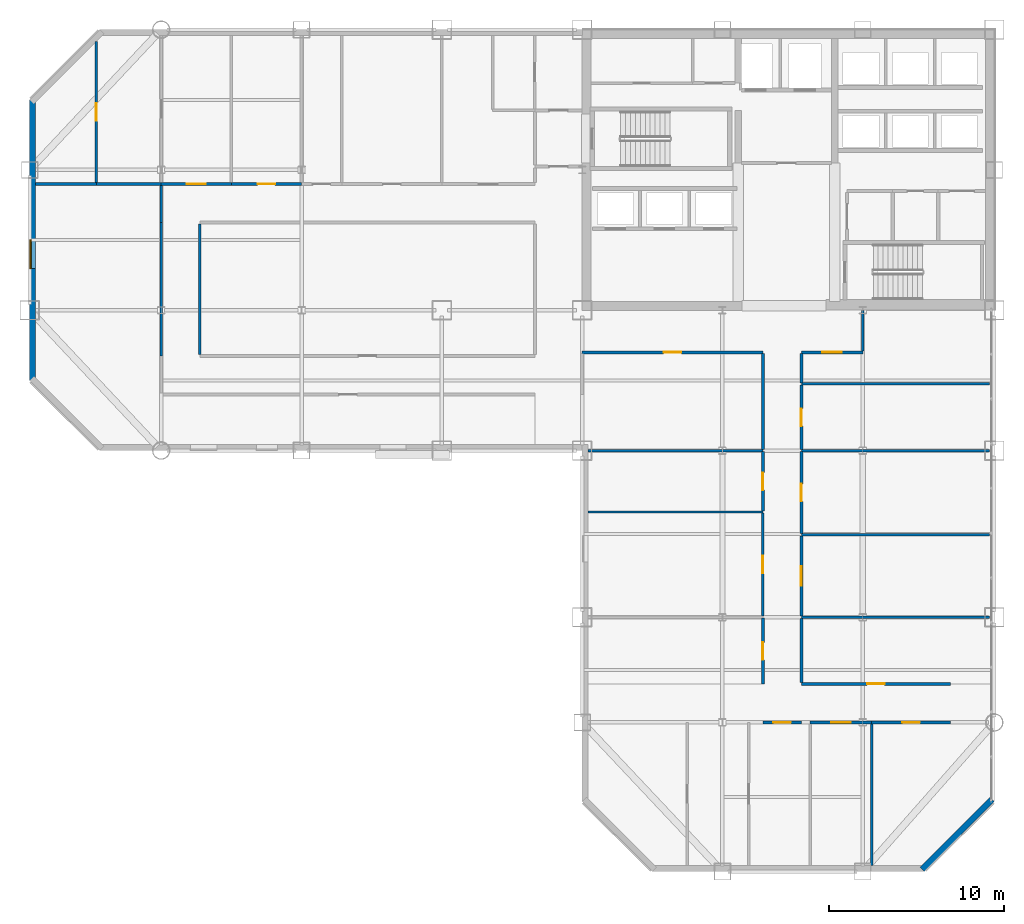
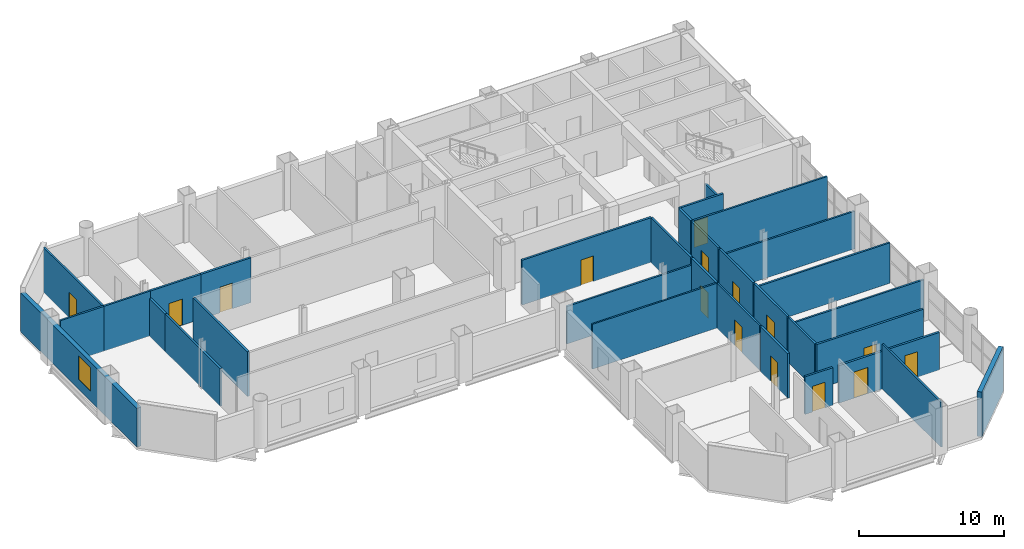
# One storey, part 12 of 16: 33 walls, 15 doors, 1 window, 16 openings.
"""IFC4 building model written with IfcOpenShell, lengths in metres."""

from ifc_helpers import new_model, si_unit, direction, frame, frame_2d, origin, place, context, subcontext, project, spatial, rectangle, extrude, material, layer, layer_set, type_object, element, fill, save


model = new_model("IFC4")

# Units and contexts
model_context = context("Model", 3, precision=1e-05, world=origin(), true_north=direction((0.0, 1.0)))
body_context = subcontext(model_context, "Body", "Model", "MODEL_VIEW")
ifc_project = project(units=[si_unit("LENGTHUNIT", "METRE"), si_unit("AREAUNIT", "SQUARE_METRE"), si_unit("VOLUMEUNIT", "CUBIC_METRE"), si_unit("PLANEANGLEUNIT", "RADIAN"), si_unit("MASSUNIT", "GRAM", prefix="KILO")], contexts=[model_context])

# Site, building, storey
site_placement = place(None, origin())
site = spatial("IfcSite", under=ifc_project, at=site_placement, CompositionType="ELEMENT")
building_placement = place(site_placement, origin())
building = spatial("IfcBuilding", under=site, at=building_placement, Name="Qianrong Seaharbour Tower", CompositionType="ELEMENT")
storey_placement = place(building_placement, frame((0.0, 0.0, 127.0)))
storey = spatial("IfcBuildingStorey", under=building, at=storey_placement, Name="L30", CompositionType="ELEMENT", Elevation=127.0)

# Wall
ifc_material_1 = material(Name="Fire-rated acoustic gypsum board partition")
ifc_layer_1 = layer(ifc_material_1, 0.1650390625)
ifc_layer_set_1 = layer_set([ifc_layer_1], Name="Fire-rated acoustic gypsum board partition")
wall_type_1 = type_object("IfcWallType", Name="WALL-CORR-PART-165", PredefinedType="PARTITIONING", material=ifc_layer_set_1)
wall_1_placement = place(storey_placement, frame((16.5, 41.0, 0.0), z_axis=(0.0, 0.0, 1.0), x_axis=(0.0, 1.0, 0.0)))
element("IfcWall", 1, at=wall_1_placement, inside=storey, type_object=wall_type_1, Name="L30 Interior Partition Wall 020", PredefinedType="PARTITIONING", context=body_context, shape_type="SweptSolid", body=[
    extrude(rectangle(XDim=2.12548828125, YDim=0.1650390625, at=frame_2d((1.062744140625, 0.0))), origin(), (0.0, 0.0, 1.0), 3.156982421875),
])

# Wall, opening, door
wall_2_placement = place(storey_placement, frame((16.5, 43.199951171875, 0.0), z_axis=(0.0, 0.0, 1.0), x_axis=(1.0, 0.0, 0.0)))
wall_2 = element("IfcWall", 2, at=wall_2_placement, inside=storey, type_object=wall_type_1, Name="L30 Interior Partition Wall 022", PredefinedType="PARTITIONING", context=body_context, shape_type="SweptSolid", body=[
    extrude(rectangle(XDim=4.0, YDim=0.1650390625, at=frame_2d((2.0, 0.0))), origin(), (0.0, 0.0, 1.0), 3.764892578125),
])
opening_1_placement = place(wall_2_placement, frame((1.449951171875, 0.0, 0.0)))
opening_1 = element("IfcOpeningElement", 3, at=opening_1_placement, cuts=wall_2, Name="Opening DM-01", PredefinedType="OPENING", context=body_context, shape_type="SweptSolid", body=[
    extrude(rectangle(XDim=1.10009765625, YDim=2.199951171875, at=frame_2d((0.550048828125, 1.10009765625))), frame((0.0, 0.092529296875, 0.0), z_axis=(0.0, -1.0, 0.0), x_axis=(1.0, 0.0, 0.0)), (0.0, 0.0, 1.0), 0.18505859375),
])
ifc_material_2 = material(Name="Acoustic timber and galvanized steel fire door assembly", Category="steel")
door_type_1 = type_object("IfcDoorType", Name="DOOR-MEET-1100x2200", OperationType="NOTDEFINED", PredefinedType="DOOR", material=ifc_material_2)
door_1_placement = place(opening_1_placement, origin())
door_1 = element("IfcDoor", 4, at=door_1_placement, inside=storey, type_object=door_type_1, Name="L30 Meeting Room 3 Door", OperationType="SINGLE_SWING_LEFT", OverallHeight=2.199951171875, OverallWidth=1.10009765625, PredefinedType="DOOR", context=body_context, shape_type="SweptSolid", body=[
    extrude(rectangle(XDim=1.10009765625, YDim=2.199951171875, at=frame_2d((0.550048828125, 1.10009765625))), frame((0.0, 0.02490234375, 0.0), z_axis=(0.0, -1.0, 0.0), x_axis=(1.0, 0.0, 0.0)), (0.0, 0.0, 1.0), 0.050048828125),
])
fill(opening_1, door_1)

wall_3_placement = place(storey_placement, frame((20.5, 43.199951171875, 0.0), z_axis=(0.0, 0.0, 1.0), x_axis=(1.0, 0.0, 0.0)))
wall_3 = element("IfcWall", 5, at=wall_3_placement, inside=storey, type_object=wall_type_1, Name="L30 Interior Partition Wall 023", PredefinedType="PARTITIONING", context=body_context, shape_type="SweptSolid", body=[
    extrude(rectangle(XDim=4.0, YDim=0.1650390625, at=frame_2d((2.0, 0.0))), origin(), (0.0, 0.0, 1.0), 3.764892578125),
])
opening_2_placement = place(wall_3_placement, frame((1.5, 0.0, 0.0)))
opening_2 = element("IfcOpeningElement", 6, at=opening_2_placement, cuts=wall_3, Name="Opening DO-01", PredefinedType="OPENING", context=body_context, shape_type="SweptSolid", body=[
    extrude(rectangle(XDim=1.0, YDim=2.14990234375, at=frame_2d((0.5, 1.074951171875))), frame((0.0, 0.092529296875, 0.0), z_axis=(0.0, -1.0, 0.0), x_axis=(1.0, 0.0, 0.0)), (0.0, 0.0, 1.0), 0.18505859375),
])
door_type_2 = type_object("IfcDoorType", Name="DOOR-OFFICE-1000x2150", OperationType="NOTDEFINED", PredefinedType="DOOR", material=ifc_material_2)
door_2_placement = place(opening_2_placement, origin())
door_2 = element("IfcDoor", 7, at=door_2_placement, inside=storey, type_object=door_type_2, Name="L30 Executive Office 4 Door", OperationType="SINGLE_SWING_RIGHT", OverallHeight=2.14990234375, OverallWidth=1.0, PredefinedType="DOOR", context=body_context, shape_type="SweptSolid", body=[
    extrude(rectangle(XDim=1.0, YDim=2.14990234375, at=frame_2d((0.5, 1.074951171875))), frame((0.0, 0.02490234375, 0.0), z_axis=(0.0, -1.0, 0.0), x_axis=(1.0, 0.0, 0.0)), (0.0, 0.0, 1.0), 0.050048828125),
])
fill(opening_2, door_2)

# Walls
wall_4_placement = place(storey_placement, frame((16.5, 33.39990234375, 0.0), z_axis=(0.0, 0.0, 1.0), x_axis=(0.0, 1.0, 0.0)))
element("IfcWall", 8, at=wall_4_placement, inside=storey, type_object=wall_type_1, Name="L30 Interior Partition Wall 027", PredefinedType="PARTITIONING", context=body_context, shape_type="SweptSolid", body=[
    extrude(rectangle(XDim=7.60009765625, YDim=0.1650390625, at=frame_2d((3.800048828125, 0.0))), origin(), (0.0, 0.0, 1.0), 3.156982421875),
])
wall_5_placement = place(storey_placement, frame((18.699951171875, 40.925537109375, 0.0), z_axis=(0.0, 0.0, 1.0), x_axis=(0.0, -1.0, 0.0)))
element("IfcWall", 9, at=wall_5_placement, inside=storey, type_object=wall_type_1, Name="L30 Interior Partition Wall 028", PredefinedType="PARTITIONING", context=body_context, shape_type="SweptSolid", body=[
    extrude(rectangle(XDim=7.450927734375, YDim=0.1650390625, at=frame_2d((3.7255859375, 0.0))), origin(), (0.0, 0.0, 1.0), 3.764892578125),
])
wall_6_placement = place(storey_placement, frame((56.5, 36.0, 0.0), z_axis=(0.0, 0.0, 1.0), x_axis=(0.0, -1.0, 0.0)))
element("IfcWall", 10, at=wall_6_placement, inside=storey, type_object=wall_type_1, Name="L30 Interior Partition Wall 032", PredefinedType="PARTITIONING", context=body_context, shape_type="SweptSolid", body=[
    extrude(rectangle(XDim=2.325439453125, YDim=0.1650390625, at=frame_2d((1.16259765625, 0.0))), origin(), (0.0, 0.0, 1.0), 3.156982421875),
])

# Wall, opening, door
wall_7_placement = place(storey_placement, frame((56.5, 33.60009765625, 0.0), z_axis=(0.0, 0.0, 1.0), x_axis=(-1.0, 0.0, 0.0)))
wall_7 = element("IfcWall", 11, at=wall_7_placement, inside=storey, type_object=wall_type_1, Name="L30 Interior Partition Wall 033", PredefinedType="PARTITIONING", context=body_context, shape_type="SweptSolid", body=[
    extrude(rectangle(XDim=3.5, YDim=0.1650390625, at=frame_2d((1.75, 0.0))), origin(), (0.0, 0.0, 1.0), 3.764892578125),
])
opening_3_placement = place(wall_7_placement, frame((1.199951171875, 0.0, 0.0)))
opening_3 = element("IfcOpeningElement", 12, at=opening_3_placement, cuts=wall_7, Name="Opening DM-01", PredefinedType="OPENING", context=body_context, shape_type="SweptSolid", body=[
    extrude(rectangle(XDim=1.10009765625, YDim=2.199951171875, at=frame_2d((0.550048828125, 1.10009765625))), frame((0.0, 0.092529296875, 0.0), z_axis=(0.0, -1.0, 0.0), x_axis=(1.0, 0.0, 0.0)), (0.0, 0.0, 1.0), 0.18505859375),
])
door_3_placement = place(opening_3_placement, origin())
door_3 = element("IfcDoor", 13, at=door_3_placement, inside=storey, type_object=door_type_1, Name="L30 Boardroom 5 Door", OperationType="SINGLE_SWING_RIGHT", OverallHeight=2.199951171875, OverallWidth=1.10009765625, PredefinedType="DOOR", context=body_context, shape_type="SweptSolid", body=[
    extrude(rectangle(XDim=1.10009765625, YDim=2.199951171875, at=frame_2d((0.550048828125, 1.10009765625))), frame((0.0, 0.02490234375, 0.0), z_axis=(0.0, -1.0, 0.0), x_axis=(1.0, 0.0, 0.0)), (0.0, 0.0, 1.0), 0.050048828125),
])
fill(opening_3, door_3)

wall_8_placement = place(storey_placement, frame((50.800048828125, 33.60009765625, 0.0), z_axis=(0.0, 0.0, 1.0), x_axis=(-1.0, 0.0, 0.0)))
wall_8 = element("IfcWall", 14, at=wall_8_placement, inside=storey, type_object=wall_type_1, Name="L30 Interior Partition Wall 034", PredefinedType="PARTITIONING", context=body_context, shape_type="SweptSolid", body=[
    extrude(rectangle(XDim=10.300048828125, YDim=0.1650390625, at=frame_2d((5.14990234375, 0.0))), origin(), (0.0, 0.0, 1.0), 3.764892578125),
])
opening_4_placement = place(wall_8_placement, frame((4.64990234375, 0.0, 0.0)))
opening_4 = element("IfcOpeningElement", 15, at=opening_4_placement, cuts=wall_8, Name="Opening DO-01", PredefinedType="OPENING", context=body_context, shape_type="SweptSolid", body=[
    extrude(rectangle(XDim=1.0, YDim=2.14990234375, at=frame_2d((0.5, 1.074951171875))), frame((0.0, 0.092529296875, 0.0), z_axis=(0.0, -1.0, 0.0), x_axis=(1.0, 0.0, 0.0)), (0.0, 0.0, 1.0), 0.18505859375),
])
door_4_placement = place(opening_4_placement, origin())
door_4 = element("IfcDoor", 16, at=door_4_placement, inside=storey, type_object=door_type_2, Name="L30 Executive Office 4 Door", OperationType="SINGLE_SWING_RIGHT", OverallHeight=2.14990234375, OverallWidth=1.0, PredefinedType="DOOR", context=body_context, shape_type="SweptSolid", body=[
    extrude(rectangle(XDim=1.0, YDim=2.14990234375, at=frame_2d((0.5, 1.074951171875))), frame((0.0, 0.02490234375, 0.0), z_axis=(0.0, -1.0, 0.0), x_axis=(1.0, 0.0, 0.0)), (0.0, 0.0, 1.0), 0.050048828125),
])
fill(opening_4, door_4)

# Wall
wall_9_placement = place(storey_placement, frame((53.0, 18.435546875, 0.0), z_axis=(0.0, 0.0, 1.0), x_axis=(0.0, -1.0, 0.0)))
element("IfcWall", 17, at=wall_9_placement, inside=storey, type_object=wall_type_1, Name="L30 Interior Partition Wall 035", PredefinedType="PARTITIONING", context=body_context, shape_type="SweptSolid", body=[
    extrude(rectangle(XDim=3.6611328125, YDim=0.1650390625, at=frame_2d((1.83056640625, 0.0))), origin(), (0.0, 0.0, 1.0), 3.764892578125),
])

# Wall, opening, door
wall_10_placement = place(storey_placement, frame((53.0, 23.135498046875, 0.0), z_axis=(0.0, 0.0, 1.0), x_axis=(0.0, -1.0, 0.0)))
wall_10 = element("IfcWall", 18, at=wall_10_placement, inside=storey, type_object=wall_type_1, Name="L30 Interior Partition Wall 036", PredefinedType="PARTITIONING", context=body_context, shape_type="SweptSolid", body=[
    extrude(rectangle(XDim=4.571044921875, YDim=0.1650390625, at=frame_2d((2.28564453125, 0.0))), origin(), (0.0, 0.0, 1.0), 3.764892578125),
])
opening_5_placement = place(wall_10_placement, frame((1.735595703125, 0.0, 0.0)))
opening_5 = element("IfcOpeningElement", 19, at=opening_5_placement, cuts=wall_10, Name="Opening DM-01", PredefinedType="OPENING", context=body_context, shape_type="SweptSolid", body=[
    extrude(rectangle(XDim=1.10009765625, YDim=2.199951171875, at=frame_2d((0.550048828125, 1.10009765625))), frame((0.0, 0.092529296875, 0.0), z_axis=(0.0, -1.0, 0.0), x_axis=(1.0, 0.0, 0.0)), (0.0, 0.0, 1.0), 0.18505859375),
])
door_5_placement = place(opening_5_placement, origin())
door_5 = element("IfcDoor", 20, at=door_5_placement, inside=storey, type_object=door_type_1, Name="L30 Boardroom 2 Door", OperationType="SINGLE_SWING_LEFT", OverallHeight=2.199951171875, OverallWidth=1.10009765625, PredefinedType="DOOR", context=body_context, shape_type="SweptSolid", body=[
    extrude(rectangle(XDim=1.10009765625, YDim=2.199951171875, at=frame_2d((0.550048828125, 1.10009765625))), frame((0.0, 0.02490234375, 0.0), z_axis=(0.0, -1.0, 0.0), x_axis=(1.0, 0.0, 0.0)), (0.0, 0.0, 1.0), 0.050048828125),
])
fill(opening_5, door_5)

wall_11_placement = place(storey_placement, frame((53.0, 27.935546875, 0.0), z_axis=(0.0, 0.0, 1.0), x_axis=(0.0, -1.0, 0.0)))
wall_11 = element("IfcWall", 21, at=wall_11_placement, inside=storey, type_object=wall_type_1, Name="L30 Interior Partition Wall 037", PredefinedType="PARTITIONING", context=body_context, shape_type="SweptSolid", body=[
    extrude(rectangle(XDim=4.671142578125, YDim=0.1650390625, at=frame_2d((2.33544921875, 0.0))), origin(), (0.0, 0.0, 1.0), 3.764892578125),
])
opening_6_placement = place(wall_11_placement, frame((1.83544921875, 0.0, 0.0)))
opening_6 = element("IfcOpeningElement", 22, at=opening_6_placement, cuts=wall_11, Name="Opening DO-01", PredefinedType="OPENING", context=body_context, shape_type="SweptSolid", body=[
    extrude(rectangle(XDim=1.0, YDim=2.14990234375, at=frame_2d((0.5, 1.074951171875))), frame((0.0, 0.092529296875, 0.0), z_axis=(0.0, -1.0, 0.0), x_axis=(1.0, 0.0, 0.0)), (0.0, 0.0, 1.0), 0.18505859375),
])
door_6_placement = place(opening_6_placement, origin())
door_6 = element("IfcDoor", 23, at=door_6_placement, inside=storey, type_object=door_type_2, Name="L30 Focus Room 3 Door", OperationType="SINGLE_SWING_RIGHT", OverallHeight=2.14990234375, OverallWidth=1.0, PredefinedType="DOOR", context=body_context, shape_type="SweptSolid", body=[
    extrude(rectangle(XDim=1.0, YDim=2.14990234375, at=frame_2d((0.5, 1.074951171875))), frame((0.0, 0.02490234375, 0.0), z_axis=(0.0, -1.0, 0.0), x_axis=(1.0, 0.0, 0.0)), (0.0, 0.0, 1.0), 0.050048828125),
])
fill(opening_6, door_6)

wall_12_placement = place(storey_placement, frame((53.0, 31.735595703125, 0.0), z_axis=(0.0, 0.0, 1.0), x_axis=(0.0, -1.0, 0.0)))
wall_12 = element("IfcWall", 24, at=wall_12_placement, inside=storey, type_object=wall_type_1, Name="L30 Interior Partition Wall 038", PredefinedType="PARTITIONING", context=body_context, shape_type="SweptSolid", body=[
    extrude(rectangle(XDim=3.671142578125, YDim=0.1650390625, at=frame_2d((1.83544921875, 0.0))), origin(), (0.0, 0.0, 1.0), 3.764892578125),
])
opening_7_placement = place(wall_12_placement, frame((1.33544921875, 0.0, 0.0)))
opening_7 = element("IfcOpeningElement", 25, at=opening_7_placement, cuts=wall_12, Name="Opening DO-01", PredefinedType="OPENING", context=body_context, shape_type="SweptSolid", body=[
    extrude(rectangle(XDim=1.0, YDim=2.14990234375, at=frame_2d((0.5, 1.074951171875))), frame((0.0, 0.092529296875, 0.0), z_axis=(0.0, -1.0, 0.0), x_axis=(1.0, 0.0, 0.0)), (0.0, 0.0, 1.0), 0.18505859375),
])
door_7_placement = place(opening_7_placement, origin())
door_7 = element("IfcDoor", 26, at=door_7_placement, inside=storey, type_object=door_type_2, Name="L30 Executive Office 4 Door", OperationType="SINGLE_SWING_LEFT", OverallHeight=2.14990234375, OverallWidth=1.0, PredefinedType="DOOR", context=body_context, shape_type="SweptSolid", body=[
    extrude(rectangle(XDim=1.0, YDim=2.14990234375, at=frame_2d((0.5, 1.074951171875))), frame((0.0, 0.02490234375, 0.0), z_axis=(0.0, -1.0, 0.0), x_axis=(1.0, 0.0, 0.0)), (0.0, 0.0, 1.0), 0.050048828125),
])
fill(opening_7, door_7)

# Wall
wall_13_placement = place(storey_placement, frame((53.0, 33.525390625, 0.0), z_axis=(0.0, 0.0, 1.0), x_axis=(0.0, -1.0, 0.0)))
element("IfcWall", 27, at=wall_13_placement, inside=storey, type_object=wall_type_1, Name="L30 Interior Partition Wall 039", PredefinedType="PARTITIONING", context=body_context, shape_type="SweptSolid", body=[
    extrude(rectangle(XDim=1.660888671875, YDim=0.1650390625, at=frame_2d((0.83056640625, 0.0))), origin(), (0.0, 0.0, 1.0), 3.764892578125),
])

# Wall, opening, door
wall_14_placement = place(storey_placement, frame((50.800048828125, 14.699951171875, 0.0), z_axis=(0.0, 0.0, 1.0), x_axis=(0.0, 1.0, 0.0)))
wall_14 = element("IfcWall", 28, at=wall_14_placement, inside=storey, type_object=wall_type_1, Name="L30 Interior Partition Wall 040", PredefinedType="PARTITIONING", context=body_context, shape_type="SweptSolid", body=[
    extrude(rectangle(XDim=3.7431640625, YDim=0.1650390625, at=frame_2d((1.87158203125, 0.0))), origin(), (0.0, 0.0, 1.0), 3.764892578125),
])
opening_8_placement = place(wall_14_placement, frame((1.37158203125, 0.0, 0.0)))
opening_8 = element("IfcOpeningElement", 29, at=opening_8_placement, cuts=wall_14, Name="Opening DO-01", PredefinedType="OPENING", context=body_context, shape_type="SweptSolid", body=[
    extrude(rectangle(XDim=1.0, YDim=2.14990234375, at=frame_2d((0.5, 1.074951171875))), frame((0.0, 0.092529296875, 0.0), z_axis=(0.0, -1.0, 0.0), x_axis=(1.0, 0.0, 0.0)), (0.0, 0.0, 1.0), 0.18505859375),
])
door_8_placement = place(opening_8_placement, origin())
door_8 = element("IfcDoor", 30, at=door_8_placement, inside=storey, type_object=door_type_2, Name="L30 Executive Office 1 Door", OperationType="SINGLE_SWING_LEFT", OverallHeight=2.14990234375, OverallWidth=1.0, PredefinedType="DOOR", context=body_context, shape_type="SweptSolid", body=[
    extrude(rectangle(XDim=1.0, YDim=2.14990234375, at=frame_2d((0.5, 1.074951171875))), frame((0.0, 0.02490234375, 0.0), z_axis=(0.0, -1.0, 0.0), x_axis=(1.0, 0.0, 0.0)), (0.0, 0.0, 1.0), 0.050048828125),
])
fill(opening_8, door_8)

wall_15_placement = place(storey_placement, frame((50.800048828125, 24.556884765625, 0.0), z_axis=(0.0, 0.0, 1.0), x_axis=(0.0, 1.0, 0.0)))
wall_15 = element("IfcWall", 31, at=wall_15_placement, inside=storey, type_object=wall_type_1, Name="L30 Interior Partition Wall 042", PredefinedType="PARTITIONING", context=body_context, shape_type="SweptSolid", body=[
    extrude(rectangle(XDim=3.378662109375, YDim=0.1650390625, at=frame_2d((1.689453125, 0.0))), origin(), (0.0, 0.0, 1.0), 3.764892578125),
])
opening_9_placement = place(wall_15_placement, frame((1.189208984375, 0.0, 0.0)))
opening_9 = element("IfcOpeningElement", 32, at=opening_9_placement, cuts=wall_15, Name="Opening DO-01", PredefinedType="OPENING", context=body_context, shape_type="SweptSolid", body=[
    extrude(rectangle(XDim=1.0, YDim=2.14990234375, at=frame_2d((0.5, 1.074951171875))), frame((0.0, 0.092529296875, 0.0), z_axis=(0.0, -1.0, 0.0), x_axis=(1.0, 0.0, 0.0)), (0.0, 0.0, 1.0), 0.18505859375),
])
door_9_placement = place(opening_9_placement, origin())
door_9 = element("IfcDoor", 33, at=door_9_placement, inside=storey, type_object=door_type_2, Name="L30 Focus Room 3 Door", OperationType="SINGLE_SWING_LEFT", OverallHeight=2.14990234375, OverallWidth=1.0, PredefinedType="DOOR", context=body_context, shape_type="SweptSolid", body=[
    extrude(rectangle(XDim=1.0, YDim=2.14990234375, at=frame_2d((0.5, 1.074951171875))), frame((0.0, 0.02490234375, 0.0), z_axis=(0.0, -1.0, 0.0), x_axis=(1.0, 0.0, 0.0)), (0.0, 0.0, 1.0), 0.050048828125),
])
fill(opening_9, door_9)

# Wall
wall_16_placement = place(storey_placement, frame((50.800048828125, 28.064453125, 0.0), z_axis=(0.0, 0.0, 1.0), x_axis=(0.0, 1.0, 0.0)))
element("IfcWall", 34, at=wall_16_placement, inside=storey, type_object=wall_type_1, Name="L30 Interior Partition Wall 043", PredefinedType="PARTITIONING", context=body_context, shape_type="SweptSolid", body=[
    extrude(rectangle(XDim=5.4609375, YDim=0.1650390625, at=frame_2d((2.73046875, 0.0))), origin(), (0.0, 0.0, 1.0), 3.764892578125),
])

# Wall, opening, door
wall_17_placement = place(storey_placement, frame((53.0, 12.5, 0.0), z_axis=(0.0, 0.0, 1.0), x_axis=(-1.0, 0.0, 0.0)))
wall_17 = element("IfcWall", 35, at=wall_17_placement, inside=storey, type_object=wall_type_1, Name="L30 Interior Partition Wall 044", PredefinedType="PARTITIONING", context=body_context, shape_type="SweptSolid", body=[
    extrude(rectangle(XDim=2.199951171875, YDim=0.1650390625, at=frame_2d((1.10009765625, 0.0))), origin(), (0.0, 0.0, 1.0), 3.156982421875),
])
opening_10_placement = place(wall_17_placement, frame((0.60009765625, 0.0, 0.0)))
opening_10 = element("IfcOpeningElement", 36, at=opening_10_placement, cuts=wall_17, Name="Opening DO-01", PredefinedType="OPENING", context=body_context, shape_type="SweptSolid", body=[
    extrude(rectangle(XDim=1.0, YDim=2.14990234375, at=frame_2d((0.5, 1.074951171875))), frame((0.0, 0.092529296875, 0.0), z_axis=(0.0, -1.0, 0.0), x_axis=(1.0, 0.0, 0.0)), (0.0, 0.0, 1.0), 0.18505859375),
])
door_10_placement = place(opening_10_placement, origin())
door_10 = element("IfcDoor", 37, at=door_10_placement, inside=storey, type_object=door_type_2, Name="L30 Executive Office 3 Door", OperationType="SINGLE_SWING_LEFT", OverallHeight=2.14990234375, OverallWidth=1.0, PredefinedType="DOOR", context=body_context, shape_type="SweptSolid", body=[
    extrude(rectangle(XDim=1.0, YDim=2.14990234375, at=frame_2d((0.5, 1.074951171875))), frame((0.0, 0.02490234375, 0.0), z_axis=(0.0, -1.0, 0.0), x_axis=(1.0, 0.0, 0.0)), (0.0, 0.0, 1.0), 0.050048828125),
])
fill(opening_10, door_10)

wall_18_placement = place(storey_placement, frame((53.0, 14.699951171875, 0.0), z_axis=(0.0, 0.0, 1.0), x_axis=(1.0, 0.0, 0.0)))
wall_18 = element("IfcWall", 38, at=wall_18_placement, inside=storey, type_object=wall_type_1, Name="L30 Interior Partition Wall 045", PredefinedType="PARTITIONING", context=body_context, shape_type="SweptSolid", body=[
    extrude(rectangle(XDim=8.5, YDim=0.1650390625, at=frame_2d((4.25, 0.0))), origin(), (0.0, 0.0, 1.0), 3.764892578125),
])
opening_11_placement = place(wall_18_placement, frame((3.75, 0.0, 0.0)))
opening_11 = element("IfcOpeningElement", 39, at=opening_11_placement, cuts=wall_18, Name="Opening DO-01", PredefinedType="OPENING", context=body_context, shape_type="SweptSolid", body=[
    extrude(rectangle(XDim=1.0, YDim=2.14990234375, at=frame_2d((0.5, 1.074951171875))), frame((0.0, 0.092529296875, 0.0), z_axis=(0.0, -1.0, 0.0), x_axis=(1.0, 0.0, 0.0)), (0.0, 0.0, 1.0), 0.18505859375),
])
door_11_placement = place(opening_11_placement, origin())
door_11 = element("IfcDoor", 40, at=door_11_placement, inside=storey, type_object=door_type_2, Name="L30 Executive Office 1 Door", OperationType="SINGLE_SWING_RIGHT", OverallHeight=2.14990234375, OverallWidth=1.0, PredefinedType="DOOR", context=body_context, shape_type="SweptSolid", body=[
    extrude(rectangle(XDim=1.0, YDim=2.14990234375, at=frame_2d((0.5, 1.074951171875))), frame((0.0, 0.02490234375, 0.0), z_axis=(0.0, -1.0, 0.0), x_axis=(1.0, 0.0, 0.0)), (0.0, 0.0, 1.0), 0.050048828125),
])
fill(opening_11, door_11)

wall_19_placement = place(storey_placement, frame((57.0, 12.5, 0.0), z_axis=(0.0, 0.0, 1.0), x_axis=(-1.0, 0.0, 0.0)))
wall_19 = element("IfcWall", 41, at=wall_19_placement, inside=storey, type_object=wall_type_1, Name="L30 Interior Partition Wall 046", PredefinedType="PARTITIONING", context=body_context, shape_type="SweptSolid", body=[
    extrude(rectangle(XDim=3.5, YDim=0.1650390625, at=frame_2d((1.75, 0.0))), origin(), (0.0, 0.0, 1.0), 3.156982421875),
])
opening_12_placement = place(wall_19_placement, frame((1.199951171875, 0.0, 0.0)))
opening_12 = element("IfcOpeningElement", 42, at=opening_12_placement, cuts=wall_19, Name="Opening DM-01", PredefinedType="OPENING", context=body_context, shape_type="SweptSolid", body=[
    extrude(rectangle(XDim=1.10009765625, YDim=2.199951171875, at=frame_2d((0.550048828125, 1.10009765625))), frame((0.0, 0.092529296875, 0.0), z_axis=(0.0, -1.0, 0.0), x_axis=(1.0, 0.0, 0.0)), (0.0, 0.0, 1.0), 0.18505859375),
])
door_12_placement = place(opening_12_placement, origin())
door_12 = element("IfcDoor", 43, at=door_12_placement, inside=storey, type_object=door_type_1, Name="L30 Meeting Room 4 Door", OperationType="SINGLE_SWING_RIGHT", OverallHeight=2.199951171875, OverallWidth=1.10009765625, PredefinedType="DOOR", context=body_context, shape_type="SweptSolid", body=[
    extrude(rectangle(XDim=1.10009765625, YDim=2.199951171875, at=frame_2d((0.550048828125, 1.10009765625))), frame((0.0, 0.02490234375, 0.0), z_axis=(0.0, -1.0, 0.0), x_axis=(1.0, 0.0, 0.0)), (0.0, 0.0, 1.0), 0.050048828125),
])
fill(opening_12, door_12)

wall_20_placement = place(storey_placement, frame((61.5, 12.5, 0.0), z_axis=(0.0, 0.0, 1.0), x_axis=(-1.0, 0.0, 0.0)))
wall_20 = element("IfcWall", 44, at=wall_20_placement, inside=storey, type_object=wall_type_1, Name="L30 Interior Partition Wall 047", PredefinedType="PARTITIONING", context=body_context, shape_type="SweptSolid", body=[
    extrude(rectangle(XDim=4.5, YDim=0.1650390625, at=frame_2d((2.25, 0.0))), origin(), (0.0, 0.0, 1.0), 3.156982421875),
])
opening_13_placement = place(wall_20_placement, frame((1.75, 0.0, 0.0)))
opening_13 = element("IfcOpeningElement", 45, at=opening_13_placement, cuts=wall_20, Name="Opening DO-01", PredefinedType="OPENING", context=body_context, shape_type="SweptSolid", body=[
    extrude(rectangle(XDim=1.0, YDim=2.14990234375, at=frame_2d((0.5, 1.074951171875))), frame((0.0, 0.092529296875, 0.0), z_axis=(0.0, -1.0, 0.0), x_axis=(1.0, 0.0, 0.0)), (0.0, 0.0, 1.0), 0.18505859375),
])
door_13_placement = place(opening_13_placement, origin())
door_13 = element("IfcDoor", 46, at=door_13_placement, inside=storey, type_object=door_type_2, Name="L30 Executive Office 5 Door", OperationType="SINGLE_SWING_LEFT", OverallHeight=2.14990234375, OverallWidth=1.0, PredefinedType="DOOR", context=body_context, shape_type="SweptSolid", body=[
    extrude(rectangle(XDim=1.0, YDim=2.14990234375, at=frame_2d((0.5, 1.074951171875))), frame((0.0, 0.02490234375, 0.0), z_axis=(0.0, -1.0, 0.0), x_axis=(1.0, 0.0, 0.0)), (0.0, 0.0, 1.0), 0.050048828125),
])
fill(opening_13, door_13)

# Wall, opening, window
ifc_material_3 = material(Name="Unitised buff brick on Precast concrete C45/55", Category="masonry")
ifc_layer_2 = layer(ifc_material_3, 0.340087890625)
ifc_layer_set_2 = layer_set([ifc_layer_2], Name="Unitised buff brick on Precast concrete C45/55")
wall_type_2 = type_object("IfcWallType", Name="WALL-EXT-BRICK-BUFF-340", PredefinedType="SOLIDWALL", material=ifc_layer_set_2)
wall_21_placement = place(storey_placement, frame((9.169921875, 32.0, 0.0), z_axis=(0.0, 0.0, 1.0), x_axis=(0.0, 1.0, 0.0)))
wall_21 = element("IfcWall", 47, at=wall_21_placement, inside=storey, type_object=wall_type_2, Name="L30 Exterior Masonry Facade Wall WEST_TIP", PredefinedType="SOLIDWALL", context=body_context, shape_type="SweptSolid", body=[
    extrude(rectangle(XDim=16.0, YDim=0.340087890625, at=frame_2d((8.0, 0.0))), origin(), (0.0, 0.0, 1.0), 3.264892578125),
])
opening_14_placement = place(wall_21_placement, frame((6.375, 0.0, 0.85009765625)))
opening_14 = element("IfcOpeningElement", 48, at=opening_14_placement, cuts=wall_21, Name="Opening WN-04", PredefinedType="OPENING", context=body_context, shape_type="SweptSolid", body=[
    extrude(rectangle(XDim=1.64990234375, YDim=1.949951171875, at=frame_2d((0.824951171875, 0.97509765625))), frame((0.0, 0.18017578125, 0.0), z_axis=(0.0, -1.0, 0.0), x_axis=(1.0, 0.0, 0.0)), (0.0, 0.0, 1.0), 0.360107421875),
])
ifc_material_4 = material(Name="Insulated low-e double glazing in thermally broken aluminium 6063-T6 frame", Category="aluminium")
window_type = type_object("IfcWindowType", Name="WIN-PUNCH-1650x1950", PartitioningType="DOUBLE_PANEL_VERTICAL", PredefinedType="WINDOW", material=ifc_material_4)
window_placement = place(opening_14_placement, origin())
window = element("IfcWindow", 49, at=window_placement, inside=storey, type_object=window_type, Name="L30 Deep-Set Punched Window 03.02", OverallHeight=1.949951171875, OverallWidth=1.64990234375, PartitioningType="DOUBLE_PANEL_VERTICAL", PredefinedType="WINDOW", context=body_context, shape_type="SweptSolid", body=[
    extrude(rectangle(XDim=1.64990234375, YDim=1.949951171875, at=frame_2d((0.824951171875, 0.97509765625))), frame((0.0, 0.150146484375, 0.0), z_axis=(0.0, -1.0, 0.0), x_axis=(1.0, 0.0, 0.0)), (0.0, 0.0, 1.0), 0.06005859375),
])
fill(opening_14, window)

# Walls
wall_22_placement = place(storey_placement, frame((63.8798828125, 8.1201171875, 0.0), z_axis=(0.0, 0.0, 1.0), x_axis=(-0.707106781187, -0.707106781187, 0.0)))
element("IfcWall", 50, at=wall_22_placement, inside=storey, type_object=wall_type_2, Name="L30 Exterior Masonry Facade Wall E07", PredefinedType="SOLIDWALL", context=body_context, shape_type="SweptSolid", body=[
    extrude(rectangle(XDim=5.65673828125, YDim=0.340087890625, at=frame_2d((2.828369140625, 0.0))), origin(), (0.0, 0.0, 1.0), 3.764892578125),
])
ifc_material_5 = material(Name="Acoustic gypsum board stud partition")
ifc_layer_3 = layer(ifc_material_5, 0.14501953125)
ifc_layer_set_3 = layer_set([ifc_layer_3], Name="Acoustic gypsum board stud partition")
wall_type_3 = type_object("IfcWallType", Name="WALL-OFFICE-PART-145", PredefinedType="PARTITIONING", material=ifc_layer_set_3)
wall_23_placement = place(storey_placement, frame((9.33203125, 43.199951171875, 0.0), z_axis=(0.0, 0.0, 1.0), x_axis=(1.0, 0.0, 0.0)))
element("IfcWall", 51, at=wall_23_placement, inside=storey, type_object=wall_type_3, Name="L30 Interior Partition Wall 048", PredefinedType="PARTITIONING", context=body_context, shape_type="SweptSolid", body=[
    extrude(rectangle(XDim=3.468017578125, YDim=0.14501953125, at=frame_2d((1.73388671875, 0.0))), origin(), (0.0, 0.0, 1.0), 3.764892578125),
])
wall_24_placement = place(storey_placement, frame((12.800048828125, 43.199951171875, 0.0), z_axis=(0.0, 0.0, 1.0), x_axis=(1.0, 0.0, 0.0)))
element("IfcWall", 52, at=wall_24_placement, inside=storey, type_object=wall_type_3, Name="L30 Interior Partition Wall 049", PredefinedType="PARTITIONING", context=body_context, shape_type="SweptSolid", body=[
    extrude(rectangle(XDim=3.699951171875, YDim=0.14501953125, at=frame_2d((1.85009765625, 0.0))), origin(), (0.0, 0.0, 1.0), 3.764892578125),
])

# Wall, opening, door
wall_25_placement = place(storey_placement, frame((12.800048828125, 51.33056640625, 0.0), z_axis=(0.0, 0.0, 1.0), x_axis=(0.0, -1.0, 0.0)))
wall_25 = element("IfcWall", 53, at=wall_25_placement, inside=storey, type_object=wall_type_3, Name="L30 Interior Partition Wall 050", PredefinedType="PARTITIONING", context=body_context, shape_type="SweptSolid", body=[
    extrude(rectangle(XDim=8.066162109375, YDim=0.14501953125, at=frame_2d((4.033203125, 0.0))), origin(), (0.0, 0.0, 1.0), 3.764892578125),
])
opening_15_placement = place(wall_25_placement, frame((3.532958984375, 0.0, 0.0)))
opening_15 = element("IfcOpeningElement", 54, at=opening_15_placement, cuts=wall_25, Name="Opening DO-01", PredefinedType="OPENING", context=body_context, shape_type="SweptSolid", body=[
    extrude(rectangle(XDim=1.0, YDim=2.14990234375, at=frame_2d((0.5, 1.074951171875))), frame((0.0, 0.08251953125, 0.0), z_axis=(0.0, -1.0, 0.0), x_axis=(1.0, 0.0, 0.0)), (0.0, 0.0, 1.0), 0.1650390625),
])
door_14_placement = place(opening_15_placement, origin())
door_14 = element("IfcDoor", 55, at=door_14_placement, inside=storey, type_object=door_type_2, Name="L30 Executive Office 1 Door", OperationType="SINGLE_SWING_LEFT", OverallHeight=2.14990234375, OverallWidth=1.0, PredefinedType="DOOR", context=body_context, shape_type="SweptSolid", body=[
    extrude(rectangle(XDim=1.0, YDim=2.14990234375, at=frame_2d((0.5, 1.074951171875))), frame((0.0, 0.02490234375, 0.0), z_axis=(0.0, -1.0, 0.0), x_axis=(1.0, 0.0, 0.0)), (0.0, 0.0, 1.0), 0.050048828125),
])
fill(opening_15, door_14)

# Walls
wall_26_placement = place(storey_placement, frame((53.0, 18.5, 0.0), z_axis=(0.0, 0.0, 1.0), x_axis=(1.0, 0.0, 0.0)))
element("IfcWall", 56, at=wall_26_placement, inside=storey, type_object=wall_type_3, Name="L30 Interior Partition Wall 056", PredefinedType="PARTITIONING", context=body_context, shape_type="SweptSolid", body=[
    extrude(rectangle(XDim=10.72802734375, YDim=0.14501953125, at=frame_2d((5.364013671875, 0.0))), origin(), (0.0, 0.0, 1.0), 3.156982421875),
])
wall_27_placement = place(storey_placement, frame((53.0, 23.199951171875, 0.0), z_axis=(0.0, 0.0, 1.0), x_axis=(1.0, 0.0, 0.0)))
element("IfcWall", 57, at=wall_27_placement, inside=storey, type_object=wall_type_3, Name="L30 Interior Partition Wall 057", PredefinedType="PARTITIONING", context=body_context, shape_type="SweptSolid", body=[
    extrude(rectangle(XDim=10.72802734375, YDim=0.14501953125, at=frame_2d((5.364013671875, 0.0))), origin(), (0.0, 0.0, 1.0), 3.406982421875),
])
wall_28_placement = place(storey_placement, frame((53.0, 28.0, 0.0), z_axis=(0.0, 0.0, 1.0), x_axis=(1.0, 0.0, 0.0)))
element("IfcWall", 58, at=wall_28_placement, inside=storey, type_object=wall_type_3, Name="L30 Interior Partition Wall 058", PredefinedType="PARTITIONING", context=body_context, shape_type="SweptSolid", body=[
    extrude(rectangle(XDim=10.72802734375, YDim=0.14501953125, at=frame_2d((5.364013671875, 0.0))), origin(), (0.0, 0.0, 1.0), 3.156982421875),
])
wall_29_placement = place(storey_placement, frame((53.0, 31.800048828125, 0.0), z_axis=(0.0, 0.0, 1.0), x_axis=(1.0, 0.0, 0.0)))
element("IfcWall", 59, at=wall_29_placement, inside=storey, type_object=wall_type_3, Name="L30 Interior Partition Wall 059", PredefinedType="PARTITIONING", context=body_context, shape_type="SweptSolid", body=[
    extrude(rectangle(XDim=10.72802734375, YDim=0.14501953125, at=frame_2d((5.364013671875, 0.0))), origin(), (0.0, 0.0, 1.0), 3.764892578125),
])
wall_30_placement = place(storey_placement, frame((40.83203125, 28.0, 0.0), z_axis=(0.0, 0.0, 1.0), x_axis=(1.0, 0.0, 0.0)))
element("IfcWall", 60, at=wall_30_placement, inside=storey, type_object=wall_type_3, Name="L30 Interior Partition Wall 062", PredefinedType="PARTITIONING", context=body_context, shape_type="SweptSolid", body=[
    extrude(rectangle(XDim=9.968017578125, YDim=0.14501953125, at=frame_2d((4.98388671875, 0.0))), origin(), (0.0, 0.0, 1.0), 3.156982421875),
])
wall_31_placement = place(storey_placement, frame((57.0, 12.425537109375, 0.0), z_axis=(0.0, 0.0, 1.0), x_axis=(0.0, -1.0, 0.0)))
element("IfcWall", 61, at=wall_31_placement, inside=storey, type_object=wall_type_3, Name="L30 Interior Partition Wall 066", PredefinedType="PARTITIONING", context=body_context, shape_type="SweptSolid", body=[
    extrude(rectangle(XDim=8.093505859375, YDim=0.14501953125, at=frame_2d((4.046875, 0.0))), origin(), (0.0, 0.0, 1.0), 3.764892578125),
])

# Wall, opening, door
ifc_material_6 = material(Name="Water-resistant cement board sanitary partition")
ifc_layer_4 = layer(ifc_material_6, 0.1298828125)
ifc_layer_set_4 = layer_set([ifc_layer_4], Name="Water-resistant cement board sanitary partition")
wall_type_4 = type_object("IfcWallType", Name="WALL-WET-PART-130", PredefinedType="PARTITIONING", material=ifc_layer_set_4)
wall_32_placement = place(storey_placement, frame((50.800048828125, 18.556884765625, 0.0), z_axis=(0.0, 0.0, 1.0), x_axis=(0.0, 1.0, 0.0)))
wall_32 = element("IfcWall", 62, at=wall_32_placement, inside=storey, type_object=wall_type_4, Name="L30 Interior Partition Wall 041", PredefinedType="PARTITIONING", context=body_context, shape_type="SweptSolid", body=[
    extrude(rectangle(XDim=5.88623046875, YDim=0.1298828125, at=frame_2d((2.943115234375, 0.0))), origin(), (0.0, 0.0, 1.0), 3.764892578125),
])
opening_16_placement = place(wall_32_placement, frame((2.443115234375, 0.0, 0.0)))
opening_16 = element("IfcOpeningElement", 63, at=opening_16_placement, cuts=wall_32, Name="Opening DO-01", PredefinedType="OPENING", context=body_context, shape_type="SweptSolid", body=[
    extrude(rectangle(XDim=1.0, YDim=2.14990234375, at=frame_2d((0.5, 1.074951171875))), frame((0.0, 0.074951171875, 0.0), z_axis=(0.0, -1.0, 0.0), x_axis=(1.0, 0.0, 0.0)), (0.0, 0.0, 1.0), 0.14990234375),
])
door_15_placement = place(opening_16_placement, origin())
door_15 = element("IfcDoor", 64, at=door_15_placement, inside=storey, type_object=door_type_2, Name="L30 Wet Pantry 2 Door", OperationType="SINGLE_SWING_RIGHT", OverallHeight=2.14990234375, OverallWidth=1.0, PredefinedType="DOOR", context=body_context, shape_type="SweptSolid", body=[
    extrude(rectangle(XDim=1.0, YDim=2.14990234375, at=frame_2d((0.5, 1.074951171875))), frame((0.0, 0.02490234375, 0.0), z_axis=(0.0, -1.0, 0.0), x_axis=(1.0, 0.0, 0.0)), (0.0, 0.0, 1.0), 0.050048828125),
])
fill(opening_16, door_15)

# Wall
wall_33_placement = place(storey_placement, frame((40.83203125, 24.5, 0.0), z_axis=(0.0, 0.0, 1.0), x_axis=(1.0, 0.0, 0.0)))
element("IfcWall", 65, at=wall_33_placement, inside=storey, type_object=wall_type_4, Name="L30 Interior Partition Wall 061", PredefinedType="PARTITIONING", context=body_context, shape_type="SweptSolid", body=[
    extrude(rectangle(XDim=9.968017578125, YDim=0.1298828125, at=frame_2d((4.98388671875, 0.0))), origin(), (0.0, 0.0, 1.0), 3.764892578125),
])

save(model, "model.ifc")
